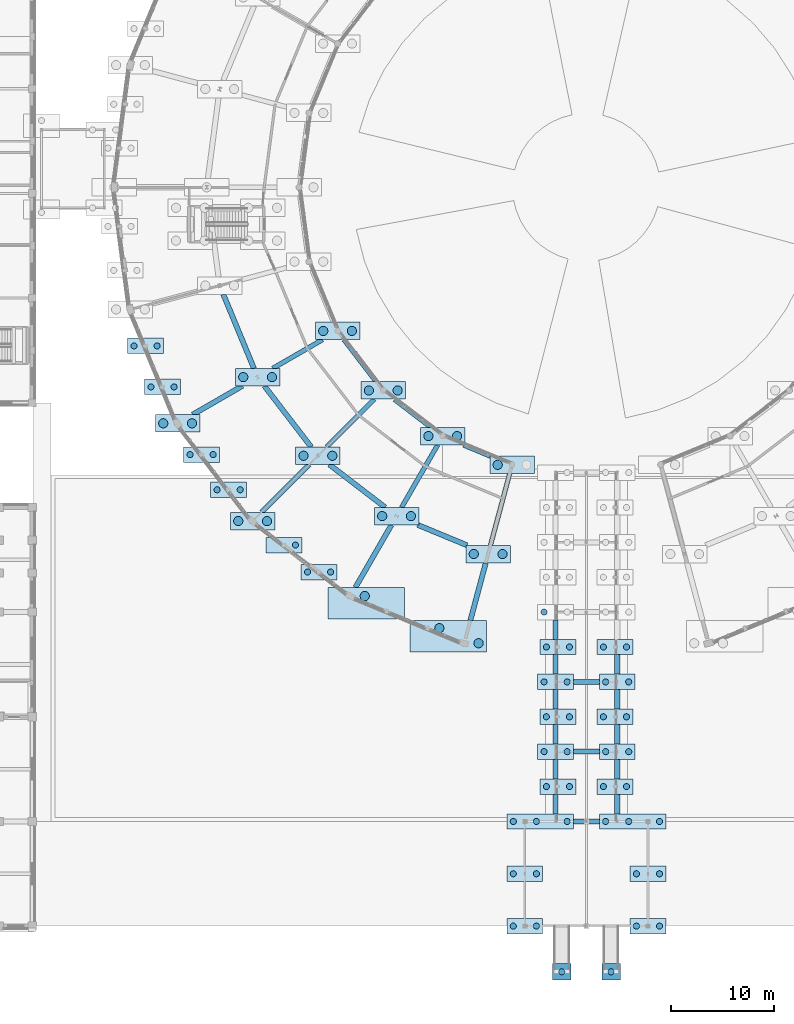
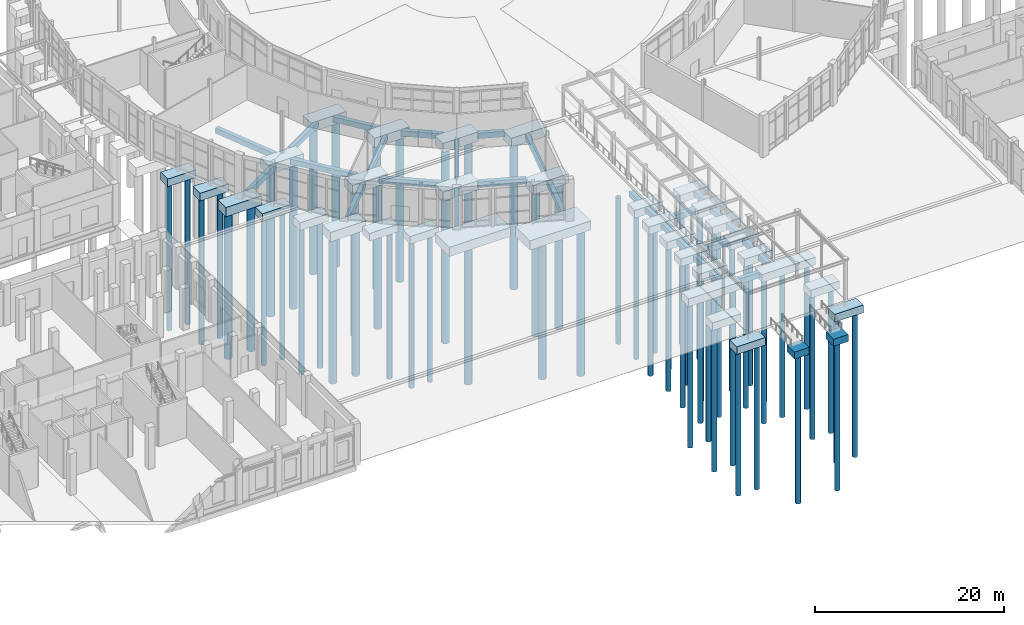
# One storey, part 1 of 137: 70 piles, 65 footings.
"""IFC4 building model written with IfcOpenShell, lengths in metres."""

from ifc_helpers import new_model, si_unit, direction, frame, origin, origin_2d, place, context, subcontext, project, spatial, polyline, rectangle, circle, outline, extrude, material, material_profile, profile_set, type_object, element, save


model = new_model("IFC4")

# Units and contexts
model_context = context("Model", 3, precision=1e-05, world=origin(), true_north=direction((0.0, 1.0)))
body_context = subcontext(model_context, "Body", "Model", "MODEL_VIEW")
ifc_project = project(units=[si_unit("LENGTHUNIT", "METRE"), si_unit("AREAUNIT", "SQUARE_METRE"), si_unit("VOLUMEUNIT", "CUBIC_METRE"), si_unit("PLANEANGLEUNIT", "RADIAN"), si_unit("MASSUNIT", "GRAM", prefix="KILO")], contexts=[model_context])

# Site, building, storey
site_placement = place(None, origin())
site = spatial("IfcSite", under=ifc_project, at=site_placement, CompositionType="ELEMENT")
building_placement = place(site_placement, origin())
building = spatial("IfcBuilding", under=site, at=building_placement, Name="Vondelvale Polytechnic", CompositionType="ELEMENT")
storey_placement = place(building_placement, origin())
storey = spatial("IfcBuildingStorey", under=building, at=storey_placement, Name="L00", CompositionType="ELEMENT", Elevation=0.0)

# Footings
ifc_material = material(Name="Concrete N40 (f'c = 40 MPa)", Category="concrete")
footing_type_1 = type_object("IfcFootingType", Name="GB-450x650", PredefinedType="FOOTING_BEAM", material=ifc_material)
footing_1_placement = place(storey_placement, frame((0.0, 0.0, -1.050048828125)))
element("IfcFooting", 1, at=footing_1_placement, inside=storey, type_object=footing_type_1, Name="Ground tie beam GB-100", PredefinedType="FOOTING_BEAM", context=body_context, shape_type="SweptSolid", body=[
    extrude(outline(polyline([(71.31689453125, 54.544921875), (75.8291015625, 57.14990234375), (76.279052734375, 57.14990234375), (76.3916015625, 56.955078125), (71.87939453125, 54.35009765625), (71.42919921875, 54.35009765625), (71.31689453125, 54.544921875)])), origin(), (0.0, 0.0, 1.0), 0.650146484375),
])
footing_2_placement = place(storey_placement, frame((0.0, 0.0, -1.050048828125)))
element("IfcFooting", 2, at=footing_2_placement, inside=storey, type_object=footing_type_1, Name="Ground tie beam GB-102", PredefinedType="FOOTING_BEAM", context=body_context, shape_type="SweptSolid", body=[
    extrude(outline(polyline([(76.52783203125, 46.84619140625), (81.03271484375, 51.35107421875), (81.35107421875, 51.35107421875), (81.510009765625, 51.19189453125), (77.005126953125, 46.68701171875), (76.68701171875, 46.68701171875), (76.52783203125, 46.84619140625)])), origin(), (0.0, 0.0, 1.0), 0.650146484375),
])
footing_3_placement = place(storey_placement, frame((0.0, 0.0, -1.050048828125)))
element("IfcFooting", 3, at=footing_3_placement, inside=storey, type_object=footing_type_1, Name="Ground tie beam GB-104", PredefinedType="FOOTING_BEAM", context=body_context, shape_type="SweptSolid", body=[
    extrude(outline(polyline([(83.7958984375, 40.91943359375), (87.249267578125, 46.90087890625), (87.509033203125, 46.90087890625), (87.703857421875, 46.78857421875), (84.25048828125, 40.806884765625), (83.99072265625, 40.806884765625), (83.7958984375, 40.91943359375)])), origin(), (0.0, 0.0, 1.0), 0.650146484375),
])
footing_4_placement = place(storey_placement, frame((0.0, 0.0, -1.050048828125)))
element("IfcFooting", 4, at=footing_4_placement, inside=storey, type_object=footing_type_1, Name="Ground tie beam GB-106", PredefinedType="FOOTING_BEAM", context=body_context, shape_type="SweptSolid", body=[
    extrude(outline(polyline([(92.43408203125, 37.169189453125), (94.29248046875, 44.10400390625), (94.525390625, 44.10400390625), (94.74267578125, 44.0458984375), (92.884521484375, 37.111083984375), (92.651611328125, 37.111083984375), (92.43408203125, 37.169189453125)])), origin(), (0.0, 0.0, 1.0), 0.650146484375),
])
footing_type_2 = type_object("IfcFootingType", Name="GB-500x700", PredefinedType="FOOTING_BEAM", material=ifc_material)
footing_5_placement = place(storey_placement, frame((0.0, 0.0, -1.10009765625)))
element("IfcFooting", 5, at=footing_5_placement, inside=storey, type_object=footing_type_2, Name="Ground tie beam GB-101", PredefinedType="FOOTING_BEAM", context=body_context, shape_type="SweptSolid", body=[
    extrude(outline(polyline([(63.510009765625, 50.06640625), (67.98486328125, 52.64990234375), (68.48486328125, 52.64990234375), (68.60986328125, 52.43359375), (64.135009765625, 49.85009765625), (63.635009765625, 49.85009765625), (63.510009765625, 50.06640625)])), origin(), (0.0, 0.0, 1.0), 0.7001953125),
])
footing_6_placement = place(storey_placement, frame((0.0, 0.0, -1.10009765625)))
element("IfcFooting", 6, at=footing_6_placement, inside=storey, type_object=footing_type_2, Name="Ground tie beam GB-103", PredefinedType="FOOTING_BEAM", context=body_context, shape_type="SweptSolid", body=[
    extrude(outline(polyline([(70.146240234375, 40.499755859375), (74.63330078125, 44.987060546875), (74.987060546875, 44.987060546875), (75.163818359375, 44.810302734375), (70.676513671875, 40.322998046875), (70.322998046875, 40.322998046875), (70.146240234375, 40.499755859375)])), origin(), (0.0, 0.0, 1.0), 0.7001953125),
])
footing_7_placement = place(storey_placement, frame((0.0, 0.0, -1.10009765625)))
element("IfcFooting", 7, at=footing_7_placement, inside=storey, type_object=footing_type_2, Name="Ground tie beam GB-105", PredefinedType="FOOTING_BEAM", context=body_context, shape_type="SweptSolid", body=[
    extrude(outline(polyline([(79.2744140625, 33.137939453125), (82.720458984375, 39.10693359375), (83.00927734375, 39.10693359375), (83.2255859375, 38.98193359375), (79.779541015625, 33.012939453125), (79.490966796875, 33.012939453125), (79.2744140625, 33.137939453125)])), origin(), (0.0, 0.0, 1.0), 0.7001953125),
])
footing_8_placement = place(storey_placement, frame((0.0, 0.0, -1.10009765625)))
element("IfcFooting", 8, at=footing_8_placement, inside=storey, type_object=footing_type_2, Name="Ground tie beam GB-107", PredefinedType="FOOTING_BEAM", context=body_context, shape_type="SweptSolid", body=[
    extrude(outline(polyline([(90.44775390625, 29.852783203125), (91.937255859375, 35.410888671875), (92.196044921875, 35.410888671875), (92.4375, 35.34619140625), (90.947998046875, 29.7880859375), (90.689208984375, 29.7880859375), (90.44775390625, 29.852783203125)])), origin(), (0.0, 0.0, 1.0), 0.7001953125),
])
footing_9_placement = place(storey_placement, frame((0.0, 0.0, -1.10009765625)))
element("IfcFooting", 9, at=footing_9_placement, inside=storey, type_object=footing_type_2, Name="Ground tie beam GB-144", PredefinedType="FOOTING_BEAM", context=body_context, shape_type="SweptSolid", body=[
    extrude(outline(polyline([(66.381591796875, 61.478271484375), (66.61279296875, 61.573974609375), (66.88330078125, 61.573974609375), (69.8359375, 54.44580078125), (69.60498046875, 54.35009765625), (69.33447265625, 54.35009765625), (66.381591796875, 61.478271484375)])), origin(), (0.0, 0.0, 1.0), 0.7001953125),
])
footing_10_placement = place(storey_placement, frame((0.0, 0.0, -1.10009765625)))
element("IfcFooting", 10, at=footing_10_placement, inside=storey, type_object=footing_type_2, Name="Ground tie beam GB-145", PredefinedType="FOOTING_BEAM", context=body_context, shape_type="SweptSolid", body=[
    extrude(outline(polyline([(78.205078125, 56.997802734375), (78.403564453125, 57.14990234375), (78.718505859375, 57.14990234375), (81.7470703125, 53.203125), (81.548828125, 53.051025390625), (81.233642578125, 53.051025390625), (78.205078125, 56.997802734375)])), origin(), (0.0, 0.0, 1.0), 0.7001953125),
])
footing_11_placement = place(storey_placement, frame((0.0, 0.0, -1.10009765625)))
element("IfcFooting", 11, at=footing_11_placement, inside=storey, type_object=footing_type_2, Name="Ground tie beam GB-146", PredefinedType="FOOTING_BEAM", context=body_context, shape_type="SweptSolid", body=[
    extrude(outline(polyline([(70.410888671875, 52.497802734375), (70.609375, 52.64990234375), (70.92431640625, 52.64990234375), (75.383056640625, 46.839111328125), (75.184814453125, 46.68701171875), (74.86962890625, 46.68701171875), (70.410888671875, 52.497802734375)])), origin(), (0.0, 0.0, 1.0), 0.7001953125),
])
footing_12_placement = place(storey_placement, frame((0.0, 0.0, -1.10009765625)))
element("IfcFooting", 12, at=footing_12_placement, inside=storey, type_object=footing_type_2, Name="Ground tie beam GB-147", PredefinedType="FOOTING_BEAM", context=body_context, shape_type="SweptSolid", body=[
    extrude(outline(polyline([(83.156494140625, 51.152587890625), (83.30859375, 51.35107421875), (83.719482421875, 51.35107421875), (87.044921875, 48.79931640625), (86.892578125, 48.60107421875), (86.48193359375, 48.60107421875), (83.156494140625, 51.152587890625)])), origin(), (0.0, 0.0, 1.0), 0.7001953125),
])
footing_13_placement = place(storey_placement, frame((0.0, 0.0, -1.10009765625)))
element("IfcFooting", 13, at=footing_13_placement, inside=storey, type_object=footing_type_2, Name="Ground tie beam GB-148", PredefinedType="FOOTING_BEAM", context=body_context, shape_type="SweptSolid", body=[
    extrude(outline(polyline([(76.79248046875, 44.788818359375), (76.94482421875, 44.987060546875), (77.35546875, 44.987060546875), (82.544677734375, 41.00537109375), (82.392333984375, 40.806884765625), (81.981689453125, 40.806884765625), (76.79248046875, 44.788818359375)])), origin(), (0.0, 0.0, 1.0), 0.7001953125),
])
footing_14_placement = place(storey_placement, frame((0.0, 0.0, -1.10009765625)))
element("IfcFooting", 14, at=footing_14_placement, inside=storey, type_object=footing_type_2, Name="Ground tie beam GB-149", PredefinedType="FOOTING_BEAM", context=body_context, shape_type="SweptSolid", body=[
    extrude(outline(polyline([(89.957275390625, 46.669921875), (90.052734375, 46.90087890625), (90.169921875, 46.90087890625), (90.169921875, 47.123046875), (92.796875, 46.034912109375), (92.701171875, 45.803955078125), (92.5830078125, 45.803955078125), (92.5830078125, 45.58251953125), (89.957275390625, 46.669921875)])), origin(), (0.0, 0.0, 1.0), 0.7001953125),
])
footing_15_placement = place(storey_placement, frame((0.0, 0.0, -1.10009765625)))
element("IfcFooting", 15, at=footing_15_placement, inside=storey, type_object=footing_type_2, Name="Ground tie beam GB-150", PredefinedType="FOOTING_BEAM", context=body_context, shape_type="SweptSolid", body=[
    extrude(outline(polyline([(85.45654296875, 38.8759765625), (85.55224609375, 39.10693359375), (85.669921875, 39.10693359375), (85.669921875, 39.328857421875), (90.466552734375, 37.342041015625), (90.370849609375, 37.111083984375), (90.25390625, 37.111083984375), (90.25390625, 36.888916015625), (85.45654296875, 38.8759765625)])), origin(), (0.0, 0.0, 1.0), 0.7001953125),
])
footing_16_placement = place(storey_placement, frame((0.0, 0.0, -1.449951171875)))
element("IfcFooting", 16, at=footing_16_placement, inside=storey, type_object=footing_type_2, Name="Ground tie beam GB-184", PredefinedType="FOOTING_BEAM", context=body_context, shape_type="SweptSolid", body=[
    extrude(outline(polyline([(100.7451171875, 9.949951171875), (100.7451171875, 10.449951171875), (103.2548828125, 10.449951171875), (103.2548828125, 9.949951171875), (100.7451171875, 9.949951171875)])), origin(), (0.0, 0.0, 1.0), 0.699951171875),
])
footing_17_placement = place(storey_placement, frame((0.0, 0.0, -1.449951171875)))
element("IfcFooting", 17, at=footing_17_placement, inside=storey, type_object=footing_type_2, Name="Ground tie beam GB-185", PredefinedType="FOOTING_BEAM", context=body_context, shape_type="SweptSolid", body=[
    extrude(outline(polyline([(100.7451171875, 16.75), (100.7451171875, 17.25), (103.2548828125, 17.25), (103.2548828125, 16.75), (100.7451171875, 16.75)])), origin(), (0.0, 0.0, 1.0), 0.699951171875),
])
footing_18_placement = place(storey_placement, frame((0.0, 0.0, -1.449951171875)))
element("IfcFooting", 18, at=footing_18_placement, inside=storey, type_object=footing_type_2, Name="Ground tie beam GB-186", PredefinedType="FOOTING_BEAM", context=body_context, shape_type="SweptSolid", body=[
    extrude(outline(polyline([(100.7451171875, 23.550048828125), (100.7451171875, 24.050048828125), (103.2548828125, 24.050048828125), (103.2548828125, 23.550048828125), (100.7451171875, 23.550048828125)])), origin(), (0.0, 0.0, 1.0), 0.699951171875),
])
footing_19_placement = place(storey_placement, frame((0.0, 0.0, -1.449951171875)))
element("IfcFooting", 19, at=footing_19_placement, inside=storey, type_object=footing_type_2, Name="Ground tie beam GB-190", PredefinedType="FOOTING_BEAM", context=body_context, shape_type="SweptSolid", body=[
    extrude(outline(polyline([(99.25, 10.949951171875), (98.75, 10.949951171875), (98.75, 12.85009765625), (99.25, 12.85009765625), (99.25, 10.949951171875)])), origin(), (0.0, 0.0, 1.0), 0.699951171875),
])
footing_20_placement = place(storey_placement, frame((0.0, 0.0, -1.449951171875)))
element("IfcFooting", 20, at=footing_20_placement, inside=storey, type_object=footing_type_2, Name="Ground tie beam GB-191", PredefinedType="FOOTING_BEAM", context=body_context, shape_type="SweptSolid", body=[
    extrude(outline(polyline([(99.25, 14.35009765625), (98.75, 14.35009765625), (98.75, 16.25), (99.25, 16.25), (99.25, 14.35009765625)])), origin(), (0.0, 0.0, 1.0), 0.699951171875),
])
footing_21_placement = place(storey_placement, frame((0.0, 0.0, -1.449951171875)))
element("IfcFooting", 21, at=footing_21_placement, inside=storey, type_object=footing_type_2, Name="Ground tie beam GB-192", PredefinedType="FOOTING_BEAM", context=body_context, shape_type="SweptSolid", body=[
    extrude(outline(polyline([(105.25, 10.949951171875), (104.75, 10.949951171875), (104.75, 12.85009765625), (105.25, 12.85009765625), (105.25, 10.949951171875)])), origin(), (0.0, 0.0, 1.0), 0.699951171875),
])
footing_22_placement = place(storey_placement, frame((0.0, 0.0, -1.449951171875)))
element("IfcFooting", 22, at=footing_22_placement, inside=storey, type_object=footing_type_2, Name="Ground tie beam GB-193", PredefinedType="FOOTING_BEAM", context=body_context, shape_type="SweptSolid", body=[
    extrude(outline(polyline([(105.25, 14.35009765625), (104.75, 14.35009765625), (104.75, 16.25), (105.25, 16.25), (105.25, 14.35009765625)])), origin(), (0.0, 0.0, 1.0), 0.699951171875),
])
footing_23_placement = place(storey_placement, frame((0.0, 0.0, -1.449951171875)))
element("IfcFooting", 23, at=footing_23_placement, inside=storey, type_object=footing_type_2, Name="Ground tie beam GB-194", PredefinedType="FOOTING_BEAM", context=body_context, shape_type="SweptSolid", body=[
    extrude(outline(polyline([(99.25, 17.75), (98.75, 17.75), (98.75, 19.64990234375), (99.25, 19.64990234375), (99.25, 17.75)])), origin(), (0.0, 0.0, 1.0), 0.699951171875),
])
footing_24_placement = place(storey_placement, frame((0.0, 0.0, -1.449951171875)))
element("IfcFooting", 24, at=footing_24_placement, inside=storey, type_object=footing_type_2, Name="Ground tie beam GB-195", PredefinedType="FOOTING_BEAM", context=body_context, shape_type="SweptSolid", body=[
    extrude(outline(polyline([(99.25, 21.14990234375), (98.75, 21.14990234375), (98.75, 23.050048828125), (99.25, 23.050048828125), (99.25, 21.14990234375)])), origin(), (0.0, 0.0, 1.0), 0.699951171875),
])
footing_25_placement = place(storey_placement, frame((0.0, 0.0, -1.449951171875)))
element("IfcFooting", 25, at=footing_25_placement, inside=storey, type_object=footing_type_2, Name="Ground tie beam GB-196", PredefinedType="FOOTING_BEAM", context=body_context, shape_type="SweptSolid", body=[
    extrude(outline(polyline([(105.25, 17.75), (104.75, 17.75), (104.75, 19.64990234375), (105.25, 19.64990234375), (105.25, 17.75)])), origin(), (0.0, 0.0, 1.0), 0.699951171875),
])
footing_26_placement = place(storey_placement, frame((0.0, 0.0, -1.449951171875)))
element("IfcFooting", 26, at=footing_26_placement, inside=storey, type_object=footing_type_2, Name="Ground tie beam GB-197", PredefinedType="FOOTING_BEAM", context=body_context, shape_type="SweptSolid", body=[
    extrude(outline(polyline([(105.25, 21.14990234375), (104.75, 21.14990234375), (104.75, 23.050048828125), (105.25, 23.050048828125), (105.25, 21.14990234375)])), origin(), (0.0, 0.0, 1.0), 0.699951171875),
])
footing_27_placement = place(storey_placement, frame((0.0, 0.0, -1.449951171875)))
element("IfcFooting", 27, at=footing_27_placement, inside=storey, type_object=footing_type_2, Name="Ground tie beam GB-198", PredefinedType="FOOTING_BEAM", context=body_context, shape_type="SweptSolid", body=[
    extrude(outline(polyline([(99.25, 24.550048828125), (98.75, 24.550048828125), (98.75, 26.449951171875), (99.25, 26.449951171875), (99.25, 24.550048828125)])), origin(), (0.0, 0.0, 1.0), 0.699951171875),
])
footing_28_placement = place(storey_placement, frame((0.0, 0.0, -1.449951171875)))
element("IfcFooting", 28, at=footing_28_placement, inside=storey, type_object=footing_type_2, Name="Ground tie beam GB-199", PredefinedType="FOOTING_BEAM", context=body_context, shape_type="SweptSolid", body=[
    extrude(outline(polyline([(99.25, 27.949951171875), (98.75, 27.949951171875), (98.75, 29.85009765625), (99.25, 29.85009765625), (99.25, 27.949951171875)])), origin(), (0.0, 0.0, 1.0), 0.699951171875),
])
footing_29_placement = place(storey_placement, frame((0.0, 0.0, -1.449951171875)))
element("IfcFooting", 29, at=footing_29_placement, inside=storey, type_object=footing_type_2, Name="Ground tie beam GB-200", PredefinedType="FOOTING_BEAM", context=body_context, shape_type="SweptSolid", body=[
    extrude(outline(polyline([(105.25, 24.550048828125), (104.75, 24.550048828125), (104.75, 26.449951171875), (105.25, 26.449951171875), (105.25, 24.550048828125)])), origin(), (0.0, 0.0, 1.0), 0.699951171875),
])
footing_type_3 = type_object("IfcFootingType", Name="PC-1800x1600x900", PredefinedType="PILE_CAP", material=ifc_material)
for number, where, z_axis, x_axis, name in (
    (30, (99.60009765625, -4.449951171875, -1.179931640625), (0.0, 0.0, 1.0), (1.0, 0.0, 0.0), "Pile cap PCR-RMP-01"),
    (31, (104.39990234375, -4.449951171875, -1.179931640625), (0.0, 0.0, 1.0), (1.0, 0.0, 0.0), "Pile cap PCR-RMP-02"),
):
    element("IfcFooting", number, at=place(storey_placement, frame(where, z_axis=z_axis, x_axis=x_axis)), inside=storey, type_object=footing_type_3, Name=name, PredefinedType="PILE_CAP", context=body_context, shape_type="SweptSolid", body=[
        extrude(rectangle(XDim=1.800048828125, YDim=1.60009765625, at=origin_2d()), origin(), (0.0, 0.0, 1.0), 0.89990234375),
    ])
footing_type_4 = type_object("IfcFootingType", Name="PC-3490x1500x1000", PredefinedType="PILE_CAP", material=ifc_material)
for number, where, z_axis, x_axis, name in (
    (32, (59.0380859375, 56.5439453125, -1.39990234375), (0.0, 0.0, 1.0), (1.0, 0.0, 0.0), "Pile cap PC-093"),
    (33, (60.69189453125, 52.550048828125, -1.39990234375), (0.0, 0.0, 1.0), (1.0, 0.0, 0.0), "Pile cap PC-095"),
    (34, (64.501953125, 45.950927734375, -1.39990234375), (0.0, 0.0, 1.0), (1.0, 0.0, 0.0), "Pile cap PC-101"),
    (35, (67.134033203125, 42.52197265625, -1.39990234375), (0.0, 0.0, 1.0), (1.0, 0.0, 0.0), "Pile cap PC-106"),
    (36, (72.52197265625, 37.134033203125, -1.39990234375), (0.0, 0.0, 1.0), (1.0, 0.0, 0.0), "Pile cap PC-114"),
    (37, (75.950927734375, 34.501953125, -1.39990234375), (0.0, 0.0, 1.0), (1.0, 0.0, 0.0), "Pile cap PC-121"),
    (38, (96.0, 0.0, -1.75), (0.0, 0.0, 1.0), (1.0, 0.0, 0.0), "Pile cap PC-139"),
    (39, (96.0, 5.10009765625, -1.75), (0.0, 0.0, 1.0), (1.0, 0.0, 0.0), "Pile cap PC-140"),
    (40, (99.0, 17.0, -1.75), (0.0, 0.0, 1.0), (1.0, 0.0, 0.0), "Pile cap PC-144"),
    (41, (99.0, 23.800048828125, -1.75), (0.0, 0.0, 1.0), (1.0, 0.0, 0.0), "Pile cap PC-145"),
    (42, (99.219970703125, 13.60009765625, -1.75), (0.0, 0.0, 1.0), (1.0, 0.0, 0.0), "Pile cap PC-149"),
    (43, (99.219970703125, 20.39990234375, -1.75), (0.0, 0.0, 1.0), (1.0, 0.0, 0.0), "Pile cap PC-150"),
    (44, (99.219970703125, 27.199951171875, -1.75), (0.0, 0.0, 1.0), (1.0, 0.0, 0.0), "Pile cap PC-151"),
    (45, (104.780029296875, 13.60009765625, -1.75), (0.0, 0.0, 1.0), (1.0, 0.0, 0.0), "Pile cap PC-155"),
    (46, (104.780029296875, 20.39990234375, -1.75), (0.0, 0.0, 1.0), (1.0, 0.0, 0.0), "Pile cap PC-156"),
    (47, (104.780029296875, 27.199951171875, -1.75), (0.0, 0.0, 1.0), (1.0, 0.0, 0.0), "Pile cap PC-157"),
    (48, (105.0, 17.0, -1.75), (0.0, 0.0, 1.0), (1.0, 0.0, 0.0), "Pile cap PC-161"),
    (49, (105.0, 23.800048828125, -1.75), (0.0, 0.0, 1.0), (1.0, 0.0, 0.0), "Pile cap PC-162"),
    (50, (108.0, 0.0, -1.75), (0.0, 0.0, 1.0), (1.0, 0.0, 0.0), "Pile cap PC-166"),
    (51, (108.0, 5.10009765625, -1.75), (0.0, 0.0, 1.0), (1.0, 0.0, 0.0), "Pile cap PC-167"),
):
    element("IfcFooting", number, at=place(storey_placement, frame(where, z_axis=z_axis, x_axis=x_axis)), inside=storey, type_object=footing_type_4, Name=name, PredefinedType="PILE_CAP", context=body_context, shape_type="SweptSolid", body=[
        extrude(rectangle(XDim=3.489990234375, YDim=1.5, at=origin_2d()), origin(), (0.0, 0.0, 1.0), 1.0),
    ])
footing_type_5 = type_object("IfcFootingType", Name="PC-4340x1700x1200", PredefinedType="PILE_CAP", material=ifc_material)
for number, where, z_axis, x_axis, name in (
    (52, (62.1630859375, 49.0, -1.60009765625), (0.0, 0.0, 1.0), (1.0, 0.0, 0.0), "Pile cap PC-097"),
    (53, (69.472900390625, 39.472900390625, -1.60009765625), (0.0, 0.0, 1.0), (1.0, 0.0, 0.0), "Pile cap PC-108"),
    (54, (69.95703125, 53.5, -1.60009765625), (0.0, 0.0, 1.0), (1.0, 0.0, 0.0), "Pile cap PC-110"),
    (55, (75.8369140625, 45.8369140625, -1.60009765625), (0.0, 0.0, 1.0), (1.0, 0.0, 0.0), "Pile cap PC-119"),
    (56, (77.7509765625, 58.0, -1.60009765625), (0.0, 0.0, 1.0), (1.0, 0.0, 0.0), "Pile cap PC-123"),
    (57, (82.200927734375, 52.200927734375, -1.60009765625), (0.0, 0.0, 1.0), (1.0, 0.0, 0.0), "Pile cap PC-127"),
    (58, (83.5, 39.95703125, -1.60009765625), (0.0, 0.0, 1.0), (1.0, 0.0, 0.0), "Pile cap PC-129"),
    (59, (88.0, 47.7509765625, -1.60009765625), (0.0, 0.0, 1.0), (1.0, 0.0, 0.0), "Pile cap PC-133"),
    (60, (92.424072265625, 36.260986328125, -1.60009765625), (0.0, 0.0, 1.0), (1.0, 0.0, 0.0), "Pile cap PC-135"),
    (61, (94.7529296875, 44.9541015625, -1.60009765625), (0.0, 0.0, 1.0), (1.0, 0.0, 0.0), "Pile cap PC-137"),
):
    element("IfcFooting", number, at=place(storey_placement, frame(where, z_axis=z_axis, x_axis=x_axis)), inside=storey, type_object=footing_type_5, Name=name, PredefinedType="PILE_CAP", context=body_context, shape_type="SweptSolid", body=[
        extrude(rectangle(XDim=4.340087890625, YDim=1.699951171875, at=origin_2d()), origin(), (0.0, 0.0, 1.0), 1.199951171875),
    ])
footing_type_6 = type_object("IfcFootingType", Name="PC-6490x1500x1000", PredefinedType="PILE_CAP", material=ifc_material)
for number, where, z_axis, x_axis, name in (
    (62, (97.5, 10.199951171875, -1.75), (0.0, 0.0, 1.0), (1.0, 0.0, 0.0), "Pile cap PC-141"),
    (63, (106.5, 10.199951171875, -1.75), (0.0, 0.0, 1.0), (1.0, 0.0, 0.0), "Pile cap PC-160"),
):
    element("IfcFooting", number, at=place(storey_placement, frame(where, z_axis=z_axis, x_axis=x_axis)), inside=storey, type_object=footing_type_6, Name=name, PredefinedType="PILE_CAP", context=body_context, shape_type="SweptSolid", body=[
        extrude(rectangle(XDim=6.489990234375, YDim=1.5, at=origin_2d()), origin(), (0.0, 0.0, 1.0), 1.0),
    ])
footing_type_7 = type_object("IfcFootingType", Name="PC-7465x3071x1200", PredefinedType="PILE_CAP", material=ifc_material)
for number, where, z_axis, x_axis, name in (
    (64, (80.56201171875, 31.47705078125, -1.60009765625), (0.0, 0.0, 1.0), (1.0, 0.0, 0.0), "Pile cap PC-125"),
    (65, (88.531005859375, 28.251953125, -1.60009765625), (0.0, 0.0, 1.0), (1.0, 0.0, 0.0), "Pile cap PC-131"),
):
    element("IfcFooting", number, at=place(storey_placement, frame(where, z_axis=z_axis, x_axis=x_axis)), inside=storey, type_object=footing_type_7, Name=name, PredefinedType="PILE_CAP", context=body_context, shape_type="SweptSolid", body=[
        extrude(rectangle(XDim=7.465087890625, YDim=3.071044921875, at=origin_2d()), origin(), (0.0, 0.0, 1.0), 1.199951171875),
    ])

# Piles
ifc_material_profile_1 = material_profile(ifc_material, circle(Radius=0.300048828125, at=origin_2d()), Name="PILE-D600")
ifc_profile_set_1 = profile_set([ifc_material_profile_1], Name="Concrete N40 (f'c = 40 MPa)")
pile_type_1 = type_object("IfcPileType", Name="PILE-BORED-600", PredefinedType="BORED", material=ifc_profile_set_1)
for number, where, z_axis, x_axis, name in (
    (66, (57.9130859375, 56.5439453125, -1.25), (0.0, 0.0, -1.0), (1.0, 0.0, 0.0), "Bored pile BP-600-093-1"),
    (67, (60.1630859375, 56.5439453125, -1.25), (0.0, 0.0, -1.0), (1.0, 0.0, 0.0), "Bored pile BP-600-093-2"),
    (68, (59.56689453125, 52.550048828125, -1.25), (0.0, 0.0, -1.0), (1.0, 0.0, 0.0), "Bored pile BP-600-095-1"),
    (69, (61.81689453125, 52.550048828125, -1.25), (0.0, 0.0, -1.0), (1.0, 0.0, 0.0), "Bored pile BP-600-095-2"),
    (70, (63.376953125, 45.950927734375, -1.25), (0.0, 0.0, -1.0), (1.0, 0.0, 0.0), "Bored pile BP-600-101-1"),
    (71, (65.626953125, 45.950927734375, -1.25), (0.0, 0.0, -1.0), (1.0, 0.0, 0.0), "Bored pile BP-600-101-2"),
    (72, (66.009033203125, 42.52197265625, -1.25), (0.0, 0.0, -1.0), (1.0, 0.0, 0.0), "Bored pile BP-600-106-1"),
    (73, (68.259033203125, 42.52197265625, -1.25), (0.0, 0.0, -1.0), (1.0, 0.0, 0.0), "Bored pile BP-600-106-2"),
    (74, (73.64697265625, 37.134033203125, -1.25), (0.0, 0.0, -1.0), (1.0, 0.0, 0.0), "Bored pile BP-600-114-1"),
    (75, (74.825927734375, 34.501953125, -1.25), (0.0, 0.0, -1.0), (1.0, 0.0, 0.0), "Bored pile BP-600-121-1"),
    (76, (77.075927734375, 34.501953125, -1.25), (0.0, 0.0, -1.0), (1.0, 0.0, 0.0), "Bored pile BP-600-121-2"),
):
    element("IfcPile", number, at=place(storey_placement, frame(where, z_axis=z_axis, x_axis=x_axis)), inside=storey, type_object=pile_type_1, Name=name, PredefinedType="BORED", context=body_context, shape_type="SweptSolid", body=[
        extrude(circle(Radius=0.300048828125, at=origin_2d()), origin(), (0.0, 0.0, 1.0), 19.25),
    ])
for number, where, z_axis, x_axis, name in (
    (77, (94.875, 0.0, -1.60009765625), (0.0, 0.0, -1.0), (1.0, 0.0, 0.0), "Bored pile BP-600-139-1"),
    (78, (97.125, 0.0, -1.60009765625), (0.0, 0.0, -1.0), (1.0, 0.0, 0.0), "Bored pile BP-600-139-2"),
    (79, (94.875, 5.10009765625, -1.60009765625), (0.0, 0.0, -1.0), (1.0, 0.0, 0.0), "Bored pile BP-600-140-1"),
    (80, (97.125, 5.10009765625, -1.60009765625), (0.0, 0.0, -1.0), (1.0, 0.0, 0.0), "Bored pile BP-600-140-2"),
    (81, (94.875, 10.199951171875, -1.60009765625), (0.0, 0.0, -1.0), (1.0, 0.0, 0.0), "Bored pile BP-600-141-1"),
    (82, (97.125, 10.199951171875, -1.60009765625), (0.0, 0.0, -1.0), (1.0, 0.0, 0.0), "Bored pile BP-600-141-2"),
    (83, (100.125, 10.199951171875, -1.60009765625), (0.0, 0.0, -1.0), (1.0, 0.0, 0.0), "Bored pile BP-600-141-3"),
    (84, (97.875, 17.0, -1.60009765625), (0.0, 0.0, -1.0), (1.0, 0.0, 0.0), "Bored pile BP-600-144-1"),
    (85, (100.125, 17.0, -1.60009765625), (0.0, 0.0, -1.0), (1.0, 0.0, 0.0), "Bored pile BP-600-144-2"),
    (86, (97.875, 23.800048828125, -1.60009765625), (0.0, 0.0, -1.0), (1.0, 0.0, 0.0), "Bored pile BP-600-145-1"),
    (87, (100.125, 23.800048828125, -1.60009765625), (0.0, 0.0, -1.0), (1.0, 0.0, 0.0), "Bored pile BP-600-145-2"),
    (88, (97.875, 30.60009765625, -1.60009765625), (0.0, 0.0, -1.0), (1.0, 0.0, 0.0), "Bored pile BP-600-146-1"),
    (89, (98.094970703125, 13.60009765625, -1.60009765625), (0.0, 0.0, -1.0), (1.0, 0.0, 0.0), "Bored pile BP-600-149-1"),
    (90, (100.344970703125, 13.60009765625, -1.60009765625), (0.0, 0.0, -1.0), (1.0, 0.0, 0.0), "Bored pile BP-600-149-2"),
    (91, (98.094970703125, 20.39990234375, -1.60009765625), (0.0, 0.0, -1.0), (1.0, 0.0, 0.0), "Bored pile BP-600-150-1"),
    (92, (100.344970703125, 20.39990234375, -1.60009765625), (0.0, 0.0, -1.0), (1.0, 0.0, 0.0), "Bored pile BP-600-150-2"),
    (93, (98.094970703125, 27.199951171875, -1.60009765625), (0.0, 0.0, -1.0), (1.0, 0.0, 0.0), "Bored pile BP-600-151-1"),
    (94, (100.344970703125, 27.199951171875, -1.60009765625), (0.0, 0.0, -1.0), (1.0, 0.0, 0.0), "Bored pile BP-600-151-2"),
    (95, (103.655029296875, 13.60009765625, -1.60009765625), (0.0, 0.0, -1.0), (1.0, 0.0, 0.0), "Bored pile BP-600-155-1"),
    (96, (105.905029296875, 13.60009765625, -1.60009765625), (0.0, 0.0, -1.0), (1.0, 0.0, 0.0), "Bored pile BP-600-155-2"),
    (97, (103.655029296875, 20.39990234375, -1.60009765625), (0.0, 0.0, -1.0), (1.0, 0.0, 0.0), "Bored pile BP-600-156-1"),
    (98, (105.905029296875, 20.39990234375, -1.60009765625), (0.0, 0.0, -1.0), (1.0, 0.0, 0.0), "Bored pile BP-600-156-2"),
    (99, (103.655029296875, 27.199951171875, -1.60009765625), (0.0, 0.0, -1.0), (1.0, 0.0, 0.0), "Bored pile BP-600-157-1"),
    (100, (105.905029296875, 27.199951171875, -1.60009765625), (0.0, 0.0, -1.0), (1.0, 0.0, 0.0), "Bored pile BP-600-157-2"),
    (101, (103.875, 10.199951171875, -1.60009765625), (0.0, 0.0, -1.0), (1.0, 0.0, 0.0), "Bored pile BP-600-160-1"),
    (102, (106.125, 10.199951171875, -1.60009765625), (0.0, 0.0, -1.0), (1.0, 0.0, 0.0), "Bored pile BP-600-160-2"),
    (103, (109.125, 10.199951171875, -1.60009765625), (0.0, 0.0, -1.0), (1.0, 0.0, 0.0), "Bored pile BP-600-160-3"),
    (104, (103.875, 17.0, -1.60009765625), (0.0, 0.0, -1.0), (1.0, 0.0, 0.0), "Bored pile BP-600-161-1"),
    (105, (106.125, 17.0, -1.60009765625), (0.0, 0.0, -1.0), (1.0, 0.0, 0.0), "Bored pile BP-600-161-2"),
    (106, (103.875, 23.800048828125, -1.60009765625), (0.0, 0.0, -1.0), (1.0, 0.0, 0.0), "Bored pile BP-600-162-1"),
    (107, (106.125, 23.800048828125, -1.60009765625), (0.0, 0.0, -1.0), (1.0, 0.0, 0.0), "Bored pile BP-600-162-2"),
    (108, (106.875, 0.0, -1.60009765625), (0.0, 0.0, -1.0), (1.0, 0.0, 0.0), "Bored pile BP-600-166-1"),
    (109, (109.125, 0.0, -1.60009765625), (0.0, 0.0, -1.0), (1.0, 0.0, 0.0), "Bored pile BP-600-166-2"),
    (110, (106.875, 5.10009765625, -1.60009765625), (0.0, 0.0, -1.0), (1.0, 0.0, 0.0), "Bored pile BP-600-167-1"),
    (111, (109.125, 5.10009765625, -1.60009765625), (0.0, 0.0, -1.0), (1.0, 0.0, 0.0), "Bored pile BP-600-167-2"),
):
    element("IfcPile", number, at=place(storey_placement, frame(where, z_axis=z_axis, x_axis=x_axis)), inside=storey, type_object=pile_type_1, Name=name, PredefinedType="BORED", context=body_context, shape_type="SweptSolid", body=[
        extrude(circle(Radius=0.300048828125, at=origin_2d()), origin(), (0.0, 0.0, 1.0), 18.89990234375),
    ])
for number, where, z_axis, x_axis, name in (
    (112, (99.60009765625, -4.449951171875, -1.030029296875), (0.0, 0.0, -1.0), (1.0, 0.0, 0.0), "Bored pile BPR-RMP-01"),
    (113, (104.39990234375, -4.449951171875, -1.030029296875), (0.0, 0.0, -1.0), (1.0, 0.0, 0.0), "Bored pile BPR-RMP-02"),
):
    element("IfcPile", number, at=place(storey_placement, frame(where, z_axis=z_axis, x_axis=x_axis)), inside=storey, type_object=pile_type_1, Name=name, PredefinedType="BORED", context=body_context, shape_type="SweptSolid", body=[
        extrude(circle(Radius=0.300048828125, at=origin_2d()), origin(), (0.0, 0.0, 1.0), 19.469970703125),
    ])
ifc_material_profile_2 = material_profile(ifc_material, circle(Radius=0.449951171875, at=origin_2d()), Name="PILE-D900")
ifc_profile_set_2 = profile_set([ifc_material_profile_2], Name="Concrete N40 (f'c = 40 MPa)")
pile_type_2 = type_object("IfcPileType", Name="PILE-BORED-900", PredefinedType="BORED", material=ifc_profile_set_2)
for number, where, z_axis, x_axis, name in (
    (114, (60.762939453125, 49.0, -1.449951171875), (0.0, 0.0, -1.0), (1.0, 0.0, 0.0), "Bored pile BP-900-097-1"),
    (115, (63.56298828125, 49.0, -1.449951171875), (0.0, 0.0, -1.0), (1.0, 0.0, 0.0), "Bored pile BP-900-097-2"),
    (116, (68.072998046875, 39.472900390625, -1.449951171875), (0.0, 0.0, -1.0), (1.0, 0.0, 0.0), "Bored pile BP-900-108-1"),
    (117, (70.873046875, 39.472900390625, -1.449951171875), (0.0, 0.0, -1.0), (1.0, 0.0, 0.0), "Bored pile BP-900-108-2"),
    (118, (68.556884765625, 53.5, -1.449951171875), (0.0, 0.0, -1.0), (1.0, 0.0, 0.0), "Bored pile BP-900-110-1"),
    (119, (71.35693359375, 53.5, -1.449951171875), (0.0, 0.0, -1.0), (1.0, 0.0, 0.0), "Bored pile BP-900-110-2"),
    (120, (74.43701171875, 45.8369140625, -1.449951171875), (0.0, 0.0, -1.0), (1.0, 0.0, 0.0), "Bored pile BP-900-119-1"),
    (121, (77.237060546875, 45.8369140625, -1.449951171875), (0.0, 0.0, -1.0), (1.0, 0.0, 0.0), "Bored pile BP-900-119-2"),
    (122, (76.35107421875, 58.0, -1.449951171875), (0.0, 0.0, -1.0), (1.0, 0.0, 0.0), "Bored pile BP-900-123-1"),
    (123, (79.15087890625, 58.0, -1.449951171875), (0.0, 0.0, -1.0), (1.0, 0.0, 0.0), "Bored pile BP-900-123-2"),
    (124, (80.39990234375, 32.1630859375, -1.449951171875), (0.0, 0.0, -1.0), (1.0, 0.0, 0.0), "Bored pile BP-900-125-1"),
    (125, (80.801025390625, 52.200927734375, -1.449951171875), (0.0, 0.0, -1.0), (1.0, 0.0, 0.0), "Bored pile BP-900-127-1"),
    (126, (83.60107421875, 52.200927734375, -1.449951171875), (0.0, 0.0, -1.0), (1.0, 0.0, 0.0), "Bored pile BP-900-127-2"),
    (127, (82.10009765625, 39.95703125, -1.449951171875), (0.0, 0.0, -1.0), (1.0, 0.0, 0.0), "Bored pile BP-900-129-1"),
    (128, (84.89990234375, 39.95703125, -1.449951171875), (0.0, 0.0, -1.0), (1.0, 0.0, 0.0), "Bored pile BP-900-129-2"),
    (129, (87.6689453125, 29.0380859375, -1.449951171875), (0.0, 0.0, -1.0), (1.0, 0.0, 0.0), "Bored pile BP-900-131-1"),
    (130, (91.493896484375, 27.56689453125, -1.449951171875), (0.0, 0.0, -1.0), (1.0, 0.0, 0.0), "Bored pile BP-900-131-2"),
    (131, (86.60009765625, 47.7509765625, -1.449951171875), (0.0, 0.0, -1.0), (1.0, 0.0, 0.0), "Bored pile BP-900-133-1"),
    (132, (89.39990234375, 47.7509765625, -1.449951171875), (0.0, 0.0, -1.0), (1.0, 0.0, 0.0), "Bored pile BP-900-133-2"),
    (133, (91.02392578125, 36.260986328125, -1.449951171875), (0.0, 0.0, -1.0), (1.0, 0.0, 0.0), "Bored pile BP-900-135-1"),
    (134, (93.823974609375, 36.260986328125, -1.449951171875), (0.0, 0.0, -1.0), (1.0, 0.0, 0.0), "Bored pile BP-900-135-2"),
    (135, (93.35302734375, 44.9541015625, -1.449951171875), (0.0, 0.0, -1.0), (1.0, 0.0, 0.0), "Bored pile BP-900-137-1"),
):
    element("IfcPile", number, at=place(storey_placement, frame(where, z_axis=z_axis, x_axis=x_axis)), inside=storey, type_object=pile_type_2, Name=name, PredefinedType="BORED", context=body_context, shape_type="SweptSolid", body=[
        extrude(circle(Radius=0.449951171875, at=origin_2d()), origin(), (0.0, 0.0, 1.0), 19.050048828125),
    ])

save(model, "model.ifc")
